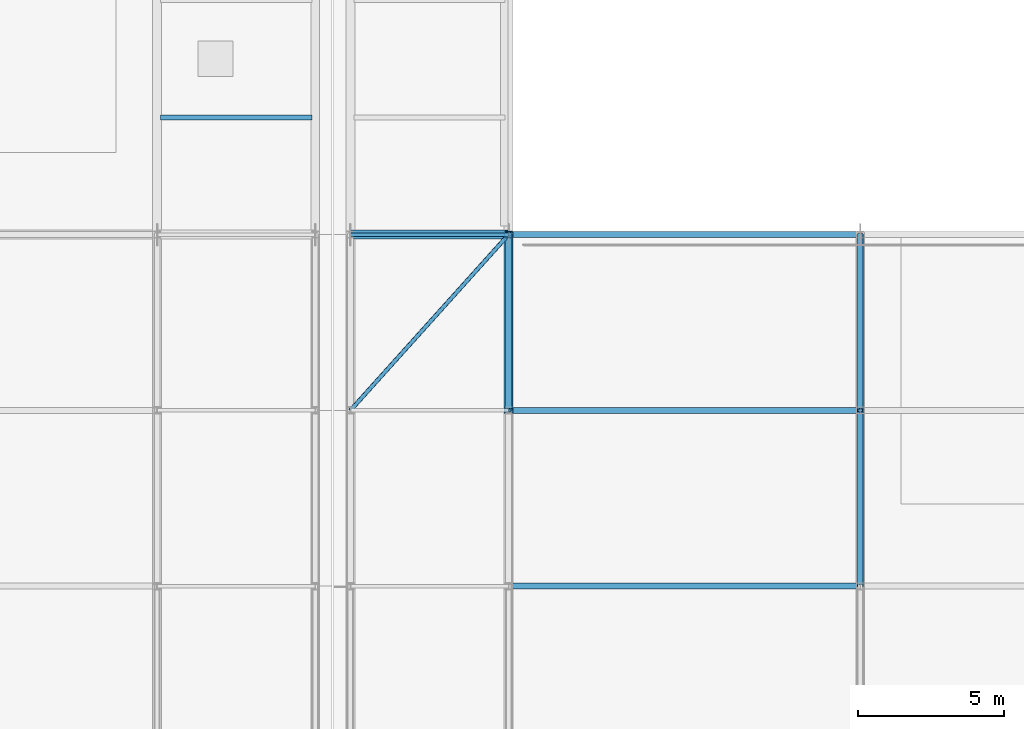
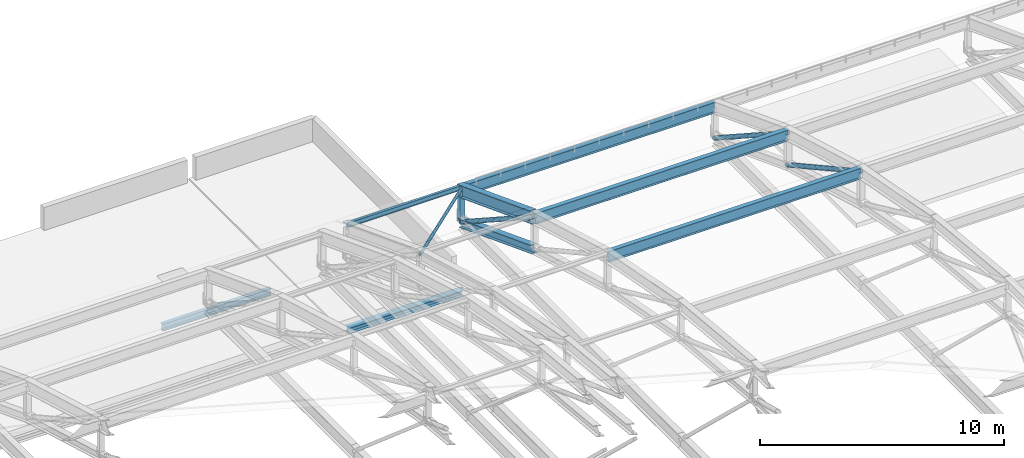
# One storey, part 153 of 204: 11 members, 2 beams.
"""IFC4 building model written with IfcOpenShell, lengths in metres."""

from ifc_helpers import new_model, si_unit, direction, frame, origin, origin_2d, place, context, subcontext, project, spatial, hollow_circle, i_section, extrude, material, material_profile, profile_set, type_object, element, save


model = new_model("IFC4")

# Units and contexts
model_context = context("Model", 3, precision=1e-05, world=origin(), true_north=direction((0.0, 1.0)))
body_context = subcontext(model_context, "Body", "Model", "MODEL_VIEW")
ifc_project = project(units=[si_unit("LENGTHUNIT", "METRE"), si_unit("AREAUNIT", "SQUARE_METRE"), si_unit("VOLUMEUNIT", "CUBIC_METRE"), si_unit("PLANEANGLEUNIT", "RADIAN"), si_unit("MASSUNIT", "GRAM", prefix="KILO")], contexts=[model_context])

# Site, building, storey
site_placement = place(None, origin())
site = spatial("IfcSite", under=ifc_project, at=site_placement, CompositionType="ELEMENT")
building_placement = place(site_placement, origin())
building = spatial("IfcBuilding", under=site, at=building_placement, Name="Zilviju Railside Exhibition Hall", CompositionType="ELEMENT")
storey_placement = place(building_placement, frame((0.0, 0.0, 21.0)))
storey = spatial("IfcBuildingStorey", under=building, at=storey_placement, Name="RF", CompositionType="ELEMENT", Elevation=21.0)

# Beams
ifc_material = material(Name="Steel S355J2", Category="steel")
ifc_material_profile_1 = material_profile(ifc_material, i_section(OverallWidth=0.300048828125, OverallDepth=0.2900390625, WebThickness=0.008544921875, FlangeThickness=0.013916015625, at=origin_2d()), Name="HEA 300")
ifc_profile_set_1 = profile_set([ifc_material_profile_1], Name="Steel S355J2")
beam_type_1 = type_object("IfcBeamType", Name="BM-HEA300", PredefinedType="SPANDREL", material=ifc_profile_set_1)
beam_1_placement = place(storey_placement, frame((174.60009765625, 138.0, -7.094970703125), z_axis=(1.0, 0.0, 0.0), x_axis=(0.0, 1.0, 0.0)))
element("IfcBeam", 1, at=beam_1_placement, inside=storey, type_object=beam_type_1, Name="Logistics Roof Beam Y=138.0 (174.6..180.0)", PredefinedType="SPANDREL", context=body_context, shape_type="SweptSolid", body=[
    extrude(i_section(OverallWidth=0.300048828125, OverallDepth=0.2900390625, WebThickness=0.008544921875, FlangeThickness=0.013916015625, at=origin_2d()), origin(), (0.0, 0.0, 1.0), 5.39990234375),
])
ifc_material_profile_2 = material_profile(ifc_material, i_section(OverallWidth=0.169921875, OverallDepth=0.360107421875, WebThickness=0.008056640625, FlangeThickness=0.0126953125, at=origin_2d()), Name="IPE 360")
ifc_profile_set_2 = profile_set([ifc_material_profile_2], Name="Steel S355J2")
beam_type_2 = type_object("IfcBeamType", Name="BM-IPE360", PredefinedType="JOIST", material=ifc_profile_set_2)
beam_2_placement = place(storey_placement, frame((168.1201171875, 142.0, -7.1298828125), z_axis=(1.0, 0.0, 0.0), x_axis=(0.0, 1.0, 0.0)))
element("IfcBeam", 2, at=beam_2_placement, inside=storey, type_object=beam_type_2, Name="Logistics Roof Beam Y=142.0 (168.0..173.4)", PredefinedType="JOIST", context=body_context, shape_type="SweptSolid", body=[
    extrude(i_section(OverallWidth=0.169921875, OverallDepth=0.360107421875, WebThickness=0.008056640625, FlangeThickness=0.0126953125, at=origin_2d()), origin(), (0.0, 0.0, 1.0), 5.159912109375),
])

# Members
ifc_material_profile_3 = material_profile(ifc_material, hollow_circle(Radius=0.06982421875, WallThickness=0.00634765625, at=origin_2d()), Name="CHS 139.7x6.3")
ifc_profile_set_3 = profile_set([ifc_material_profile_3], Name="Steel S355J2")
member_type_1 = type_object("IfcMemberType", Name="TR-BR-CHS139", PredefinedType="BRACE", material=ifc_profile_set_3)
member_1_placement = place(storey_placement, frame((174.60009765625, 132.0, 0.311279296875), z_axis=(0.64432774386, 0.715932662677, -0.268853456374), x_axis=(-0.743300161789, 0.668958047626, 0.0)))
element("IfcMember", 3, at=member_1_placement, inside=storey, type_object=member_type_1, Name="V2 Roof Wind Brace (174.6..180.0)", PredefinedType="BRACE", context=body_context, shape_type="SweptSolid", body=[
    extrude(hollow_circle(Radius=0.06982421875, WallThickness=0.00634765625, at=origin_2d()), origin(), (0.0, 0.0, 1.0), 8.380615234375),
])
ifc_material_profile_4 = material_profile(ifc_material, hollow_circle(Radius=0.109619140625, WallThickness=0.010009765625, at=origin_2d()), Name="CHS 219.1x10.0")
ifc_profile_set_4 = profile_set([ifc_material_profile_4], Name="Steel S355J2")
member_type_2 = type_object("IfcMemberType", Name="TR-BR-CHS219", PredefinedType="BRACE", material=ifc_profile_set_4)
member_2_placement = place(storey_placement, frame((180.0, 132.0, 0.291259765625), z_axis=(0.0, 0.838995406637, -0.544138500423), x_axis=(-1.0, 0.0, 0.0)))
element("IfcMember", 4, at=member_2_placement, inside=storey, type_object=member_type_2, Name="V2 Parabolic Arch Web Diagonal X=180.0 P9", PredefinedType="BRACE", context=body_context, shape_type="SweptSolid", body=[
    extrude(hollow_circle(Radius=0.109619140625, WallThickness=0.010009765625, at=origin_2d()), origin(), (0.0, 0.0, 1.0), 7.1513671875),
])
member_3_placement = place(storey_placement, frame((192.0, 126.0, 2.009765625), z_axis=(0.0, 0.8750828143, -0.483973210122), x_axis=(-1.0, 0.0, 0.0)))
element("IfcMember", 5, at=member_3_placement, inside=storey, type_object=member_type_2, Name="V2 Parabolic Arch Web Diagonal X=192.0 P8", PredefinedType="BRACE", context=body_context, shape_type="SweptSolid", body=[
    extrude(hollow_circle(Radius=0.109619140625, WallThickness=0.010009765625, at=origin_2d()), origin(), (0.0, 0.0, 1.0), 6.8564453125),
])
member_4_placement = place(storey_placement, frame((192.0, 132.0, 0.291259765625), z_axis=(0.0, 0.838995406637, -0.544138500423), x_axis=(-1.0, 0.0, 0.0)))
element("IfcMember", 6, at=member_4_placement, inside=storey, type_object=member_type_2, Name="V2 Parabolic Arch Web Diagonal X=192.0 P9", PredefinedType="BRACE", context=body_context, shape_type="SweptSolid", body=[
    extrude(hollow_circle(Radius=0.109619140625, WallThickness=0.010009765625, at=origin_2d()), origin(), (0.0, 0.0, 1.0), 7.1513671875),
])
ifc_material_profile_5 = material_profile(ifc_material, i_section(OverallWidth=0.300048828125, OverallDepth=0.39990234375, WebThickness=0.013427734375, FlangeThickness=0.02392578125, at=origin_2d()), Name="HEB 400")
ifc_profile_set_5 = profile_set([ifc_material_profile_5], Name="Steel S355J2")
member_type_3 = type_object("IfcMemberType", Name="TR-CH-HEB400", PredefinedType="CHORD", material=ifc_profile_set_5)
member_5_placement = place(storey_placement, frame((180.0, 132.0, -1.30859375), z_axis=(0.0, 0.934187521086, -0.35678239229), x_axis=(-1.0, 0.0, 0.0)))
element("IfcMember", 7, at=member_5_placement, inside=storey, type_object=member_type_3, Name="V2 Parabolic Arch Bottom Chord X=180.0 P9", PredefinedType="CHORD", context=body_context, shape_type="SweptSolid", body=[
    extrude(i_section(OverallWidth=0.300048828125, OverallDepth=0.39990234375, WebThickness=0.013427734375, FlangeThickness=0.02392578125, at=origin_2d()), origin(), (0.0, 0.0, 1.0), 6.422607421875),
])
ifc_material_profile_6 = material_profile(ifc_material, i_section(OverallWidth=0.300048828125, OverallDepth=0.60009765625, WebThickness=0.015380859375, FlangeThickness=0.030029296875, at=origin_2d()), Name="HEB 600")
ifc_profile_set_6 = profile_set([ifc_material_profile_6], Name="Steel S355J2")
member_type_4 = type_object("IfcMemberType", Name="TR-CH-HEB600", PredefinedType="CHORD", material=ifc_profile_set_6)
member_6_placement = place(storey_placement, frame((180.0, 132.0, 0.291259765625), z_axis=(0.0, 0.934200190194, -0.356749218138), x_axis=(-1.0, 0.0, 0.0)))
element("IfcMember", 8, at=member_6_placement, inside=storey, type_object=member_type_4, Name="V2 Parabolic Arch Top Chord X=180.0 P9", PredefinedType="CHORD", context=body_context, shape_type="SweptSolid", body=[
    extrude(i_section(OverallWidth=0.300048828125, OverallDepth=0.60009765625, WebThickness=0.015380859375, FlangeThickness=0.030029296875, at=origin_2d()), origin(), (0.0, 0.0, 1.0), 6.422607421875),
])
ifc_material_profile_7 = material_profile(ifc_material, i_section(OverallWidth=0.239990234375, OverallDepth=0.22998046875, WebThickness=0.007568359375, FlangeThickness=0.011962890625, at=origin_2d()), Name="HEA 240")
ifc_profile_set_7 = profile_set([ifc_material_profile_7], Name="Steel S355J2")
member_type_5 = type_object("IfcMemberType", Name="TR-POST-HEA240", PredefinedType="POST", material=ifc_profile_set_7)
member_7_placement = place(storey_placement, frame((180.0, 138.0, -3.60009765625), z_axis=(0.0, 0.0, 1.0), x_axis=(1.0, 0.0, 0.0)))
element("IfcMember", 9, at=member_7_placement, inside=storey, type_object=member_type_5, Name="V2 Parabolic Arch Web Post X=180.0 N9", PredefinedType="POST", context=body_context, shape_type="SweptSolid", body=[
    extrude(i_section(OverallWidth=0.239990234375, OverallDepth=0.22998046875, WebThickness=0.007568359375, FlangeThickness=0.011962890625, at=origin_2d()), origin(), (0.0, 0.0, 1.0), 1.60009765625),
])
ifc_material_profile_8 = material_profile(ifc_material, i_section(OverallWidth=0.1201171875, OverallDepth=0.239990234375, WebThickness=0.006103515625, FlangeThickness=0.009765625, at=origin_2d()), Name="IPE 240")
ifc_profile_set_8 = profile_set([ifc_material_profile_8], Name="Steel S355J2")
member_type_6 = type_object("IfcMemberType", Name="TR-PUR-IPE240", PredefinedType="PURLIN", material=ifc_profile_set_8)
member_8_placement = place(storey_placement, frame((174.60009765625, 138.0, -1.85693359375), z_axis=(1.0, 0.0, 0.0), x_axis=(0.0, 1.0, 0.0)))
element("IfcMember", 10, at=member_8_placement, inside=storey, type_object=member_type_6, Name="V2 Barrel Vault Roof Purlin Y=138.0 (174.6..180.0)", PredefinedType="PURLIN", context=body_context, shape_type="SweptSolid", body=[
    extrude(i_section(OverallWidth=0.1201171875, OverallDepth=0.239990234375, WebThickness=0.006103515625, FlangeThickness=0.009765625, at=origin_2d()), origin(), (0.0, 0.0, 1.0), 5.39990234375),
])
ifc_material_profile_9 = material_profile(ifc_material, i_section(OverallWidth=0.2099609375, OverallDepth=0.550048828125, WebThickness=0.010986328125, FlangeThickness=0.01708984375, at=origin_2d()), Name="IPE 550")
ifc_profile_set_9 = profile_set([ifc_material_profile_9], Name="Steel S355J2")
member_type_7 = type_object("IfcMemberType", Name="TR-PUR-IPE550", PredefinedType="PURLIN", material=ifc_profile_set_9)
for number, where, z_axis, x_axis, name in (
    (11, (180.0, 126.0, 1.97509765625), (1.0, 0.0, 0.0), (0.0, 1.0, 0.0), "V2 Barrel Vault Roof Purlin Y=126.0 (180.0..192.0)"),
    (12, (180.0, 132.0, 0.239501953125), (1.0, 0.0, 0.0), (0.0, 1.0, 0.0), "V2 Barrel Vault Roof Purlin Y=132.0 (180.0..192.0)"),
    (13, (180.0, 138.0, -2.011962890625), (1.0, 0.0, 0.0), (0.0, 1.0, 0.0), "V2 Barrel Vault Roof Purlin Y=138.0 (180.0..192.0)"),
):
    element("IfcMember", number, at=place(storey_placement, frame(where, z_axis=z_axis, x_axis=x_axis)), inside=storey, type_object=member_type_7, Name=name, PredefinedType="PURLIN", context=body_context, shape_type="SweptSolid", body=[
        extrude(i_section(OverallWidth=0.2099609375, OverallDepth=0.550048828125, WebThickness=0.010986328125, FlangeThickness=0.01708984375, at=origin_2d()), origin(), (0.0, 0.0, 1.0), 12.0),
    ])

save(model, "model.ifc")
